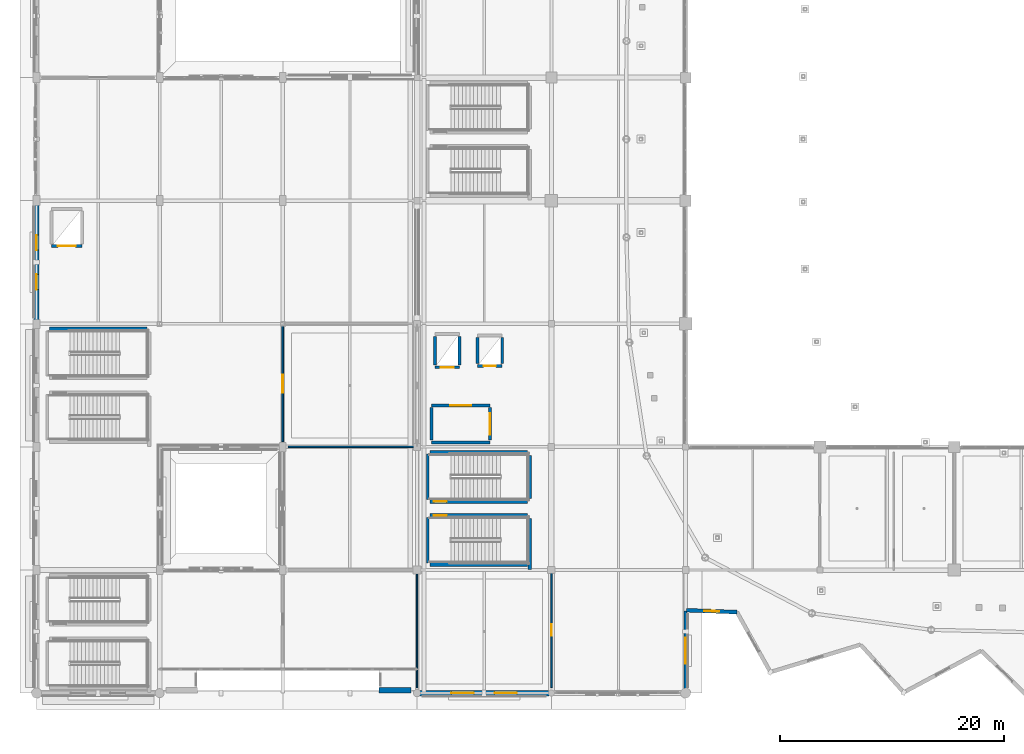
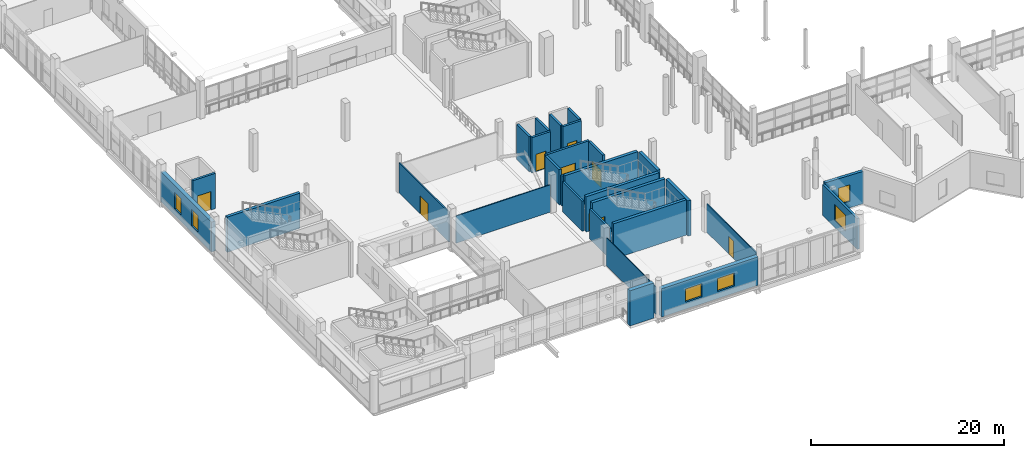
# One storey, part 91 of 143: 29 walls, 9 doors, 6 windows, 15 openings.
"""IFC4 building model written with IfcOpenShell, lengths in metres."""

from ifc_helpers import new_model, si_unit, direction, frame, frame_2d, origin, place, context, subcontext, project, spatial, rectangle, extrude, material, layer, layer_set, type_object, element, fill, save


model = new_model("IFC4")

# Units and contexts
model_context = context("Model", 3, precision=1e-05, world=origin(), true_north=direction((0.0, 1.0)))
body_context = subcontext(model_context, "Body", "Model", "MODEL_VIEW")
ifc_project = project(units=[si_unit("LENGTHUNIT", "METRE"), si_unit("AREAUNIT", "SQUARE_METRE"), si_unit("VOLUMEUNIT", "CUBIC_METRE"), si_unit("PLANEANGLEUNIT", "RADIAN"), si_unit("MASSUNIT", "GRAM", prefix="KILO")], contexts=[model_context])

# Site, building, storey
site_placement = place(None, origin())
site = spatial("IfcSite", under=ifc_project, at=site_placement, CompositionType="ELEMENT")
building_placement = place(site_placement, origin())
building = spatial("IfcBuilding", under=site, at=building_placement, Name="Luwafu Chhajja Arena", CompositionType="ELEMENT")
storey_placement = place(building_placement, frame((0.0, 0.0, 5.39990234375)))
storey = spatial("IfcBuildingStorey", under=building, at=storey_placement, Name="L01", CompositionType="ELEMENT", Elevation=5.39990234375)

# Wall, opening, window
ifc_material_1 = material(Name="Concrete C35/45", Category="concrete")
ifc_layer_1 = layer(ifc_material_1, 0.280029296875, Name="Concrete C35/45")
ifc_layer_set_1 = layer_set([ifc_layer_1], Name="Concrete C35/45")
wall_type_1 = type_object("IfcWallType", Name="Colonnade Arcade Spandrel Wall 280", PredefinedType="SOLIDWALL", material=ifc_layer_set_1)
wall_1_placement = place(storey_placement, frame((58.0, 0.219970703125, 0.0), z_axis=(0.0, 0.0, 1.0), x_axis=(0.0, 1.0, 0.0)))
wall_1 = element("IfcWall", 1, at=wall_1_placement, inside=storey, type_object=wall_type_1, Name="L01 Exterior Wall WEX-L01-124", PredefinedType="SOLIDWALL", context=body_context, shape_type="SweptSolid", body=[
    extrude(rectangle(XDim=7.12841796875, YDim=0.280029296875, at=frame_2d((3.564208984375, 0.0))), origin(), (0.0, 0.0, 1.0), 3.89013671875),
])
opening_1_placement = place(wall_1_placement, frame((2.414306640625, 0.0, 0.85009765625)))
opening_1 = element("IfcOpeningElement", 2, at=opening_1_placement, cuts=wall_1, Name="Opening WN-19", PredefinedType="OPENING", context=body_context, shape_type="SweptSolid", body=[
    extrude(rectangle(XDim=2.300048828125, YDim=2.050048828125, at=frame_2d((1.14990234375, 1.02490234375))), frame((0.0, 0.14990234375, 0.0), z_axis=(0.0, -1.0, 0.0), x_axis=(1.0, 0.0, 0.0)), (0.0, 0.0, 1.0), 0.300048828125),
])
ifc_material_2 = material(Name="Solar-control laminated glass", Category="glass")
window_type_1 = type_object("IfcWindowType", Name="Supporters Lounge Arch-Head Window 2300x2050", PartitioningType="SINGLE_PANEL", PredefinedType="WINDOW", material=ifc_material_2)
window_1_placement = place(opening_1_placement, origin())
window_1 = element("IfcWindow", 3, at=window_1_placement, inside=storey, type_object=window_type_1, Name="L01 Facade Window 039", OverallHeight=2.050048828125, OverallWidth=2.300048828125, PartitioningType="SINGLE_PANEL", PredefinedType="WINDOW", context=body_context, shape_type="SweptSolid", body=[
    extrude(rectangle(XDim=2.300048828125, YDim=2.050048828125, at=frame_2d((1.14990234375, 1.02490234375))), frame((0.0, 0.030029296875, 0.0), z_axis=(0.0, -1.0, 0.0), x_axis=(1.0, 0.0, 0.0)), (0.0, 0.0, 1.0), 0.06005859375),
])
fill(opening_1, window_1)

# Wall, opening, door
ifc_material_3 = material(Name="Lightweight blockwork partition", Category="masonry")
ifc_layer_2 = layer(ifc_material_3, 0.139892578125, Name="Lightweight blockwork partition")
ifc_layer_set_2 = layer_set([ifc_layer_2], Name="Lightweight blockwork partition")
wall_type_2 = type_object("IfcWallType", Name="Concourse Kiosk Partition 140", PredefinedType="PARTITIONING", material=ifc_layer_set_2)
wall_2_placement = place(storey_placement, frame((22.0, 22.47998046875, 0.0), z_axis=(0.0, 0.0, 1.0), x_axis=(0.0, 1.0, 0.0)))
wall_2 = element("IfcWall", 4, at=wall_2_placement, inside=storey, type_object=wall_type_2, Name="L01 Internal Partition 0218", PredefinedType="PARTITIONING", context=body_context, shape_type="SweptSolid", body=[
    extrude(rectangle(XDim=10.360107421875, YDim=0.139892578125, at=frame_2d((5.18017578125, 0.0))), origin(), (0.0, 0.0, 1.0), 3.77783203125),
])
opening_2_placement = place(wall_2_placement, frame((4.3701171875, 0.0, 0.0)))
opening_2 = element("IfcOpeningElement", 5, at=opening_2_placement, cuts=wall_2, Name="Opening DR-23", PredefinedType="OPENING", context=body_context, shape_type="SweptSolid", body=[
    extrude(rectangle(XDim=1.6201171875, YDim=2.25, at=frame_2d((0.81005859375, 1.125))), frame((0.0, 0.079833984375, 0.0), z_axis=(0.0, -1.0, 0.0), x_axis=(1.0, 0.0, 0.0)), (0.0, 0.0, 1.0), 0.159912109375),
])
ifc_material_4 = material(Name="Hardwood flush glazed double door", Category="wood")
door_type_1 = type_object("IfcDoorType", Name="DR-23", OperationType="DOUBLE_DOOR_SINGLE_SWING", PredefinedType="DOOR", material=ifc_material_4)
door_1_placement = place(opening_2_placement, origin())
door_1 = element("IfcDoor", 6, at=door_1_placement, inside=storey, type_object=door_type_1, Name="L01 Interior Door L01-D032", OperationType="DOUBLE_DOOR_SINGLE_SWING", OverallHeight=2.25, OverallWidth=1.6201171875, PredefinedType="DOOR", context=body_context, shape_type="SweptSolid", body=[
    extrude(rectangle(XDim=1.6201171875, YDim=2.25, at=frame_2d((0.81005859375, 1.125))), frame((0.0, 0.02490234375, 0.0), z_axis=(0.0, -1.0, 0.0), x_axis=(1.0, 0.0, 0.0)), (0.0, 0.0, 1.0), 0.050048828125),
])
fill(opening_2, door_1)

# Wall
ifc_material_5 = material(Name="Gypsum plasterboard partition")
ifc_layer_3 = layer(ifc_material_5, 0.10009765625, Name="Gypsum plasterboard partition")
ifc_layer_set_3 = layer_set([ifc_layer_3], Name="Gypsum plasterboard partition")
wall_type_3 = type_object("IfcWallType", Name="Drywall Lining Partition 100", PredefinedType="PARTITIONING", material=ifc_layer_set_3)
wall_3_placement = place(storey_placement, frame((34.0, 0.47998046875, 0.0), z_axis=(0.0, 0.0, 1.0), x_axis=(0.0, 1.0, 0.0)))
element("IfcWall", 7, at=wall_3_placement, inside=storey, type_object=wall_type_3, Name="L01 Internal Partition 0251", PredefinedType="PARTITIONING", context=body_context, shape_type="SweptSolid", body=[
    extrude(rectangle(XDim=10.300048828125, YDim=0.10009765625, at=frame_2d((5.14990234375, 0.0))), origin(), (0.0, 0.0, 1.0), 3.489990234375),
])

# Wall, opening, door
ifc_material_6 = material(Name="Concrete C40/50", Category="concrete")
ifc_layer_4 = layer(ifc_material_6, 0.260009765625, Name="Concrete C40/50")
ifc_layer_set_4 = layer_set([ifc_layer_4], Name="Concrete C40/50")
wall_type_4 = type_object("IfcWallType", Name="Firefighting Lobby Wall 260", PredefinedType="SOLIDWALL", material=ifc_layer_set_4)
wall_4_placement = place(storey_placement, frame((35.300048828125, 25.699951171875, 0.0), z_axis=(0.0, 0.0, 1.0), x_axis=(1.0, 0.0, 0.0)))
wall_4 = element("IfcWall", 8, at=wall_4_placement, inside=storey, type_object=wall_type_4, Name="L01 Core C1 Firefighting Lobby Wall N", PredefinedType="SOLIDWALL", context=body_context, shape_type="SweptSolid", body=[
    extrude(rectangle(XDim=5.199951171875, YDim=0.260009765625, at=frame_2d((2.60009765625, 0.0))), origin(), (0.0, 0.0, 1.0), 4.460205078125),
])
opening_3_placement = place(wall_4_placement, frame((1.64990234375, 0.0, 0.0)))
opening_3 = element("IfcOpeningElement", 9, at=opening_3_placement, cuts=wall_4, Name="Opening DR-07", PredefinedType="OPENING", context=body_context, shape_type="SweptSolid", body=[
    extrude(rectangle(XDim=1.89990234375, YDim=2.199951171875, at=frame_2d((0.949951171875, 1.10009765625))), frame((0.0, 0.139892578125, 0.0), z_axis=(0.0, -1.0, 0.0), x_axis=(1.0, 0.0, 0.0)), (0.0, 0.0, 1.0), 0.280029296875),
])
ifc_material_7 = material(Name="Fire-rated hardwood and vision panel", Category="wood")
door_type_2 = type_object("IfcDoorType", Name="DR-07", OperationType="DOUBLE_DOOR_SINGLE_SWING", PredefinedType="DOOR", material=ifc_material_7)
door_2_placement = place(opening_3_placement, origin())
door_2 = element("IfcDoor", 10, at=door_2_placement, inside=storey, type_object=door_type_2, Name="L01 Firefighting Lobby C1 Door L01-D003", OperationType="DOUBLE_DOOR_SINGLE_SWING", OverallHeight=2.199951171875, OverallWidth=1.89990234375, PredefinedType="DOOR", context=body_context, shape_type="SweptSolid", body=[
    extrude(rectangle(XDim=1.89990234375, YDim=2.199951171875, at=frame_2d((0.949951171875, 1.10009765625))), frame((0.0, 0.02490234375, 0.0), z_axis=(0.0, -1.0, 0.0), x_axis=(1.0, 0.0, 0.0)), (0.0, 0.0, 1.0), 0.050048828125),
])
fill(opening_3, door_2)

# Walls
wall_5_placement = place(storey_placement, frame((35.300048828125, 22.39990234375, 0.0), z_axis=(0.0, 0.0, 1.0), x_axis=(1.0, 0.0, 0.0)))
element("IfcWall", 11, at=wall_5_placement, inside=storey, type_object=wall_type_4, Name="L01 Core C1 Firefighting Lobby Wall S", PredefinedType="SOLIDWALL", context=body_context, shape_type="SweptSolid", body=[
    extrude(rectangle(XDim=5.199951171875, YDim=0.260009765625, at=frame_2d((2.60009765625, 0.0))), origin(), (0.0, 0.0, 1.0), 3.7900390625),
])
wall_6_placement = place(storey_placement, frame((35.300048828125, 22.60009765625, 0.0), z_axis=(0.0, 0.0, 1.0), x_axis=(0.0, 1.0, 0.0)))
element("IfcWall", 12, at=wall_6_placement, inside=storey, type_object=wall_type_4, Name="L01 Core C1 Firefighting Lobby Wall W", PredefinedType="SOLIDWALL", context=body_context, shape_type="SweptSolid", body=[
    extrude(rectangle(XDim=2.89990234375, YDim=0.260009765625, at=frame_2d((1.449951171875, 0.0))), origin(), (0.0, 0.0, 1.0), 4.460205078125),
])

# Wall, opening, door
wall_7_placement = place(storey_placement, frame((40.5, 22.60009765625, 0.0), z_axis=(0.0, 0.0, 1.0), x_axis=(0.0, 1.0, 0.0)))
wall_7 = element("IfcWall", 13, at=wall_7_placement, inside=storey, type_object=wall_type_4, Name="L01 Core C1 Firefighting Lobby Wall E", PredefinedType="SOLIDWALL", context=body_context, shape_type="SweptSolid", body=[
    extrude(rectangle(XDim=2.89990234375, YDim=0.260009765625, at=frame_2d((1.449951171875, 0.0))), origin(), (0.0, 0.0, 1.0), 4.460205078125),
])
opening_4_placement = place(wall_7_placement, frame((0.5, 0.0, 0.0)))
opening_4 = element("IfcOpeningElement", 14, at=opening_4_placement, cuts=wall_7, Name="Opening DR-07", PredefinedType="OPENING", context=body_context, shape_type="SweptSolid", body=[
    extrude(rectangle(XDim=1.89990234375, YDim=2.199951171875, at=frame_2d((0.949951171875, 1.10009765625))), frame((0.0, 0.139892578125, 0.0), z_axis=(0.0, -1.0, 0.0), x_axis=(1.0, 0.0, 0.0)), (0.0, 0.0, 1.0), 0.280029296875),
])
door_3_placement = place(opening_4_placement, origin())
door_3 = element("IfcDoor", 15, at=door_3_placement, inside=storey, type_object=door_type_2, Name="L01 Firefighting Lobby C1 Door L01-D004", OperationType="DOUBLE_DOOR_SINGLE_SWING", OverallHeight=2.199951171875, OverallWidth=1.89990234375, PredefinedType="DOOR", context=body_context, shape_type="SweptSolid", body=[
    extrude(rectangle(XDim=1.89990234375, YDim=2.199951171875, at=frame_2d((0.949951171875, 1.10009765625))), frame((0.0, 0.02490234375, 0.0), z_axis=(0.0, -1.0, 0.0), x_axis=(1.0, 0.0, 0.0)), (0.0, 0.0, 1.0), 0.050048828125),
])
fill(opening_4, door_3)

# Wall
ifc_material_8 = material(Name="Acoustic metal-stud gypsum board")
ifc_layer_5 = layer(ifc_material_8, 0.1201171875, Name="Acoustic metal-stud gypsum board")
ifc_layer_set_5 = layer_set([ifc_layer_5], Name="Acoustic metal-stud gypsum board")
wall_type_5 = type_object("IfcWallType", Name="Internal Room Partition 120", PredefinedType="PARTITIONING", material=ifc_layer_set_5)
wall_8_placement = place(storey_placement, frame((22.47998046875, 22.0, 0.0), z_axis=(0.0, 0.0, 1.0), x_axis=(1.0, 0.0, 0.0)))
element("IfcWall", 16, at=wall_8_placement, inside=storey, type_object=wall_type_5, Name="L01 Internal Partition 0220", PredefinedType="PARTITIONING", context=body_context, shape_type="SweptSolid", body=[
    extrude(rectangle(XDim=11.300048828125, YDim=0.1201171875, at=frame_2d((5.64990234375, 0.0))), origin(), (0.0, 0.0, 1.0), 3.440185546875),
])

# Wall, opening, door
wall_9_placement = place(storey_placement, frame((46.0, 0.47998046875, 0.0), z_axis=(0.0, 0.0, 1.0), x_axis=(0.0, 1.0, 0.0)))
wall_9 = element("IfcWall", 17, at=wall_9_placement, inside=storey, type_object=wall_type_5, Name="L01 Internal Partition 0222", PredefinedType="PARTITIONING", context=body_context, shape_type="SweptSolid", body=[
    extrude(rectangle(XDim=10.300048828125, YDim=0.1201171875, at=frame_2d((5.14990234375, 0.0))), origin(), (0.0, 0.0, 1.0), 3.590087890625),
])
opening_5_placement = place(wall_9_placement, frame((4.6298828125, 0.0, 0.0)))
opening_5 = element("IfcOpeningElement", 18, at=opening_5_placement, cuts=wall_9, Name="Opening DR-24", PredefinedType="OPENING", context=body_context, shape_type="SweptSolid", body=[
    extrude(rectangle(XDim=1.0400390625, YDim=2.199951171875, at=frame_2d((0.52001953125, 1.10009765625))), frame((0.0, 0.070068359375, 0.0), z_axis=(0.0, -1.0, 0.0), x_axis=(1.0, 0.0, 0.0)), (0.0, 0.0, 1.0), 0.14013671875),
])
ifc_material_9 = material(Name="Hardwood flush classroom door", Category="wood")
door_type_3 = type_object("IfcDoorType", Name="DR-24", OperationType="NOTDEFINED", PredefinedType="DOOR", material=ifc_material_9)
door_4_placement = place(opening_5_placement, origin())
door_4 = element("IfcDoor", 19, at=door_4_placement, inside=storey, type_object=door_type_3, Name="L01 Interior Door L01-D033", OperationType="SINGLE_SWING_RIGHT", OverallHeight=2.199951171875, OverallWidth=1.0400390625, PredefinedType="DOOR", context=body_context, shape_type="SweptSolid", body=[
    extrude(rectangle(XDim=1.0400390625, YDim=2.199951171875, at=frame_2d((0.52001953125, 1.10009765625))), frame((0.0, 0.02490234375, 0.0), z_axis=(0.0, -1.0, 0.0), x_axis=(1.0, 0.0, 0.0)), (0.0, 0.0, 1.0), 0.050048828125),
])
fill(opening_5, door_4)

ifc_layer_6 = layer(ifc_material_1, 0.260009765625, Name="Concrete C35/45")
ifc_layer_set_6 = layer_set([ifc_layer_6], Name="Concrete C35/45")
wall_type_6 = type_object("IfcWallType", Name="Lift and Riser Shaft Wall 260", PredefinedType="SOLIDWALL", material=ifc_layer_set_6)
wall_10_placement = place(storey_placement, frame((35.590087890625, 29.114990234375, 0.0), z_axis=(0.0, 0.0, 1.0), x_axis=(1.0, 0.0, 0.0)))
wall_10 = element("IfcWall", 20, at=wall_10_placement, inside=storey, type_object=wall_type_6, Name="L01 Lift LF-01 Shaft Wall S", PredefinedType="SOLIDWALL", context=body_context, shape_type="SweptSolid", body=[
    extrude(rectangle(XDim=2.219970703125, YDim=0.260009765625, at=frame_2d((1.10986328125, 0.0))), origin(), (0.0, 0.0, 1.0), 4.460205078125),
])
opening_6_placement = place(wall_10_placement, frame((0.510009765625, 0.0, 0.0)))
opening_6 = element("IfcOpeningElement", 21, at=opening_6_placement, cuts=wall_10, Name="Opening LD-02", PredefinedType="OPENING", context=body_context, shape_type="SweptSolid", body=[
    extrude(rectangle(XDim=1.199951171875, YDim=2.199951171875, at=frame_2d((0.60009765625, 1.10009765625))), frame((0.0, 0.139892578125, 0.0), z_axis=(0.0, -1.0, 0.0), x_axis=(1.0, 0.0, 0.0)), (0.0, 0.0, 1.0), 0.280029296875),
])
ifc_material_10 = material(Name="Brushed stainless steel sliding leaves", Category="steel")
door_type_4 = type_object("IfcDoorType", Name="LD-02", OperationType="SLIDING_TO_LEFT", PredefinedType="DOOR", material=ifc_material_10)
door_5_placement = place(opening_6_placement, origin())
door_5 = element("IfcDoor", 22, at=door_5_placement, inside=storey, type_object=door_type_4, Name="L01 Lift LF-01 Landing Door L01-LD01", OperationType="SLIDING_TO_LEFT", OverallHeight=2.199951171875, OverallWidth=1.199951171875, PredefinedType="DOOR", context=body_context, shape_type="SweptSolid", body=[
    extrude(rectangle(XDim=1.199951171875, YDim=2.199951171875, at=frame_2d((0.60009765625, 1.10009765625))), frame((0.0, 0.02490234375, 0.0), z_axis=(0.0, -1.0, 0.0), x_axis=(1.0, 0.0, 0.0)), (0.0, 0.0, 1.0), 0.050048828125),
])
fill(opening_6, door_5)

# Walls
for number, where, z_axis, x_axis, name in (
    (23, (35.590087890625, 29.31494140625, 0.0), (0.0, 0.0, 1.0), (0.0, 1.0, 0.0), "L01 Lift LF-01 Shaft Wall W"),
    (24, (37.81005859375, 29.31494140625, 0.0), (0.0, 0.0, 1.0), (0.0, 1.0, 0.0), "L01 Lift LF-01 Shaft Wall E"),
):
    element("IfcWall", number, at=place(storey_placement, frame(where, z_axis=z_axis, x_axis=x_axis)), inside=storey, type_object=wall_type_6, Name=name, PredefinedType="SOLIDWALL", context=body_context, shape_type="SweptSolid", body=[
        extrude(rectangle(XDim=2.570068359375, YDim=0.260009765625, at=frame_2d((1.28515625, 0.0))), origin(), (0.0, 0.0, 1.0), 4.460205078125),
    ])

# Wall, opening, door
wall_11_placement = place(storey_placement, frame((39.389892578125, 29.239990234375, 0.0), z_axis=(0.0, 0.0, 1.0), x_axis=(1.0, 0.0, 0.0)))
wall_11 = element("IfcWall", 25, at=wall_11_placement, inside=storey, type_object=wall_type_6, Name="L01 Lift LF-05 Shaft Wall S", PredefinedType="SOLIDWALL", context=body_context, shape_type="SweptSolid", body=[
    extrude(rectangle(XDim=2.22021484375, YDim=0.260009765625, at=frame_2d((1.110107421875, 0.0))), origin(), (0.0, 0.0, 1.0), 4.460205078125),
])
opening_7_placement = place(wall_11_placement, frame((0.56005859375, 0.0, 0.0)))
opening_7 = element("IfcOpeningElement", 26, at=opening_7_placement, cuts=wall_11, Name="Opening LD-01", PredefinedType="OPENING", context=body_context, shape_type="SweptSolid", body=[
    extrude(rectangle(XDim=1.10009765625, YDim=2.14990234375, at=frame_2d((0.550048828125, 1.074951171875))), frame((0.0, 0.139892578125, 0.0), z_axis=(0.0, -1.0, 0.0), x_axis=(1.0, 0.0, 0.0)), (0.0, 0.0, 1.0), 0.280029296875),
])
door_type_5 = type_object("IfcDoorType", Name="LD-01", OperationType="SLIDING_TO_LEFT", PredefinedType="DOOR", material=ifc_material_10)
door_6_placement = place(opening_7_placement, origin())
door_6 = element("IfcDoor", 27, at=door_6_placement, inside=storey, type_object=door_type_5, Name="L01 Lift LF-05 Landing Door L01-LD02", OperationType="SLIDING_TO_LEFT", OverallHeight=2.14990234375, OverallWidth=1.10009765625, PredefinedType="DOOR", context=body_context, shape_type="SweptSolid", body=[
    extrude(rectangle(XDim=1.10009765625, YDim=2.14990234375, at=frame_2d((0.550048828125, 1.074951171875))), frame((0.0, 0.02490234375, 0.0), z_axis=(0.0, -1.0, 0.0), x_axis=(1.0, 0.0, 0.0)), (0.0, 0.0, 1.0), 0.050048828125),
])
fill(opening_7, door_6)

# Walls
for number, where, z_axis, x_axis, name in (
    (28, (39.389892578125, 29.43994140625, 0.0), (0.0, 0.0, 1.0), (0.0, 1.0, 0.0), "L01 Lift LF-05 Shaft Wall W"),
    (29, (41.610107421875, 29.43994140625, 0.0), (0.0, 0.0, 1.0), (0.0, 1.0, 0.0), "L01 Lift LF-05 Shaft Wall E"),
):
    element("IfcWall", number, at=place(storey_placement, frame(where, z_axis=z_axis, x_axis=x_axis)), inside=storey, type_object=wall_type_6, Name=name, PredefinedType="SOLIDWALL", context=body_context, shape_type="SweptSolid", body=[
        extrude(rectangle(XDim=2.320068359375, YDim=0.260009765625, at=frame_2d((1.16015625, 0.0))), origin(), (0.0, 0.0, 1.0), 4.460205078125),
    ])

# Wall, opening, door
wall_12_placement = place(storey_placement, frame((1.340087890625, 39.93994140625, 0.0), z_axis=(0.0, 0.0, 1.0), x_axis=(1.0, 0.0, 0.0)))
wall_12 = element("IfcWall", 30, at=wall_12_placement, inside=storey, type_object=wall_type_6, Name="L01 Lift LF-11 Shaft Wall S", PredefinedType="SOLIDWALL", context=body_context, shape_type="SweptSolid", body=[
    extrude(rectangle(XDim=2.719970703125, YDim=0.260009765625, at=frame_2d((1.35986328125, 0.0))), origin(), (0.0, 0.0, 1.0), 4.460205078125),
])
opening_8_placement = place(wall_12_placement, frame((0.56005859375, 0.0, 0.0)))
opening_8 = element("IfcOpeningElement", 31, at=opening_8_placement, cuts=wall_12, Name="Opening LD-03", PredefinedType="OPENING", context=body_context, shape_type="SweptSolid", body=[
    extrude(rectangle(XDim=1.60009765625, YDim=2.35009765625, at=frame_2d((0.800048828125, 1.175048828125))), frame((0.0, 0.139892578125, 0.0), z_axis=(0.0, -1.0, 0.0), x_axis=(1.0, 0.0, 0.0)), (0.0, 0.0, 1.0), 0.280029296875),
])
door_type_6 = type_object("IfcDoorType", Name="LD-03", OperationType="DOUBLE_DOOR_SLIDING", PredefinedType="DOOR", material=ifc_material_10)
door_7_placement = place(opening_8_placement, origin())
door_7 = element("IfcDoor", 32, at=door_7_placement, inside=storey, type_object=door_type_6, Name="L01 Lift LF-11 Landing Door L01-LD11", OperationType="DOUBLE_DOOR_SLIDING", OverallHeight=2.35009765625, OverallWidth=1.60009765625, PredefinedType="DOOR", context=body_context, shape_type="SweptSolid", body=[
    extrude(rectangle(XDim=1.60009765625, YDim=2.35009765625, at=frame_2d((0.800048828125, 1.175048828125))), frame((0.0, 0.02490234375, 0.0), z_axis=(0.0, -1.0, 0.0), x_axis=(1.0, 0.0, 0.0)), (0.0, 0.0, 1.0), 0.050048828125),
])
fill(opening_8, door_7)

# Wall
ifc_layer_7 = layer(ifc_material_6, 0.47998046875, Name="Concrete C40/50")
ifc_layer_set_7 = layer_set([ifc_layer_7], Name="Concrete C40/50")
wall_type_7 = type_object("IfcWallType", Name="Pishtaq Portal Ashlar Wall 480", PredefinedType="SOLIDWALL", material=ifc_layer_set_7)
wall_13_placement = place(storey_placement, frame((30.60009765625, 0.25, 0.0), z_axis=(0.0, 0.0, 1.0), x_axis=(1.0, 0.0, 0.0)))
element("IfcWall", 33, at=wall_13_placement, inside=storey, type_object=wall_type_7, Name="L01 Pishtaq Portal East Cheek Pier", PredefinedType="SOLIDWALL", context=body_context, shape_type="SweptSolid", body=[
    extrude(rectangle(XDim=2.849853515625, YDim=0.47998046875, at=frame_2d((1.4248046875, 0.0))), origin(), (0.0, 0.0, 1.0), 4.440185546875),
])

# Wall, openings, windows
wall_14_placement = place(storey_placement, frame((34.219970703125, 0.0, 0.0), z_axis=(0.0, 0.0, 1.0), x_axis=(1.0, 0.0, 0.0)))
wall_14 = element("IfcWall", 34, at=wall_14_placement, inside=storey, type_object=wall_type_7, Name="L01 Exterior Wall WEX-L01-119", PredefinedType="SOLIDWALL", context=body_context, shape_type="SweptSolid", body=[
    extrude(rectangle(XDim=11.56005859375, YDim=0.47998046875, at=frame_2d((5.780029296875, 0.0))), origin(), (0.0, 0.0, 1.0), 3.590087890625),
])
opening_9_placement = place(wall_14_placement, frame((2.853271484375, 0.0, 0.89990234375)))
opening_9 = element("IfcOpeningElement", 35, at=opening_9_placement, cuts=wall_14, Name="Opening WN-10", PredefinedType="OPENING", context=body_context, shape_type="SweptSolid", body=[
    extrude(rectangle(XDim=2.0, YDim=1.64990234375, at=frame_2d((1.0, 0.824951171875))), frame((0.0, 0.25, 0.0), z_axis=(0.0, -1.0, 0.0), x_axis=(1.0, 0.0, 0.0)), (0.0, 0.0, 1.0), 0.5),
])
opening_10_placement = place(wall_14_placement, frame((6.706787109375, 0.0, 0.89990234375)))
opening_10 = element("IfcOpeningElement", 36, at=opening_10_placement, cuts=wall_14, Name="Opening WN-10", PredefinedType="OPENING", context=body_context, shape_type="SweptSolid", body=[
    extrude(rectangle(XDim=2.0, YDim=1.64990234375, at=frame_2d((1.0, 0.824951171875))), frame((0.0, 0.25, 0.0), z_axis=(0.0, -1.0, 0.0), x_axis=(1.0, 0.0, 0.0)), (0.0, 0.0, 1.0), 0.5),
])
window_type_2 = type_object("IfcWindowType", Name="Community Classroom Window 2000x1650", PartitioningType="SINGLE_PANEL", PredefinedType="WINDOW", material=ifc_material_2)
window_2_placement = place(opening_9_placement, origin())
window_2 = element("IfcWindow", 37, at=window_2_placement, inside=storey, type_object=window_type_2, Name="L01 Facade Window 031", OverallHeight=1.64990234375, OverallWidth=2.0, PartitioningType="SINGLE_PANEL", PredefinedType="WINDOW", context=body_context, shape_type="SweptSolid", body=[
    extrude(rectangle(XDim=2.0, YDim=1.64990234375, at=frame_2d((1.0, 0.824951171875))), frame((0.0, 0.030029296875, 0.0), z_axis=(0.0, -1.0, 0.0), x_axis=(1.0, 0.0, 0.0)), (0.0, 0.0, 1.0), 0.06005859375),
])
fill(opening_9, window_2)
window_3_placement = place(opening_10_placement, origin())
window_3 = element("IfcWindow", 38, at=window_3_placement, inside=storey, type_object=window_type_2, Name="L01 Facade Window 032", OverallHeight=1.64990234375, OverallWidth=2.0, PartitioningType="SINGLE_PANEL", PredefinedType="WINDOW", context=body_context, shape_type="SweptSolid", body=[
    extrude(rectangle(XDim=2.0, YDim=1.64990234375, at=frame_2d((1.0, 0.824951171875))), frame((0.0, 0.030029296875, 0.0), z_axis=(0.0, -1.0, 0.0), x_axis=(1.0, 0.0, 0.0)), (0.0, 0.0, 1.0), 0.06005859375),
])
fill(opening_10, window_3)

# Wall, opening, window
ifc_material_11 = material(Name="Precast concrete C40/50", Category="concrete")
ifc_layer_8 = layer(ifc_material_11, 0.340087890625, Name="Precast concrete C40/50")
ifc_layer_set_8 = layer_set([ifc_layer_8], Name="Precast concrete C40/50")
wall_type_8 = type_object("IfcWallType", Name="Pleated Bowl V-Fold Wall 340", PredefinedType="USERDEFINED", material=ifc_layer_set_8)
wall_15_placement = place(storey_placement, frame((58.080078125, 7.405517578125, 0.0), z_axis=(0.0, 0.0, 1.0), x_axis=(0.999296191983, -0.037511607381, 0.0)))
wall_15 = element("IfcWall", 39, at=wall_15_placement, inside=storey, type_object=wall_type_8, Name="L01 Pleated Bowl V-Fold Wall 41", ObjectType="PLEATED FACADE WALL", PredefinedType="USERDEFINED", context=body_context, shape_type="SweptSolid", body=[
    extrude(rectangle(XDim=4.497314453125, YDim=0.340087890625, at=frame_2d((2.24853515625, 0.0))), origin(), (0.0, 0.0, 1.0), 4.08349609375),
])
opening_11_placement = place(wall_15_placement, frame((1.573486328125, 0.0, 0.800048828125)))
opening_11 = element("IfcOpeningElement", 40, at=opening_11_placement, cuts=wall_15, Name="Opening WN-17", PredefinedType="OPENING", context=body_context, shape_type="SweptSolid", body=[
    extrude(rectangle(XDim=1.35009765625, YDim=2.10009765625, at=frame_2d((0.675048828125, 1.050048828125))), frame((0.0, 0.179931640625, 0.0), z_axis=(0.0, -1.0, 0.0), x_axis=(1.0, 0.0, 0.0)), (0.0, 0.0, 1.0), 0.360107421875),
])
window_type_3 = type_object("IfcWindowType", Name="Exhibition Mezzanine Lancet Window 1350x2100", PartitioningType="SINGLE_PANEL", PredefinedType="WINDOW", material=ifc_material_2)
window_4_placement = place(opening_11_placement, origin())
window_4 = element("IfcWindow", 41, at=window_4_placement, inside=storey, type_object=window_type_3, Name="L01 Pleated Bowl Lancet Window 003", OverallHeight=2.10009765625, OverallWidth=1.35009765625, PartitioningType="SINGLE_PANEL", PredefinedType="WINDOW", context=body_context, shape_type="SweptSolid", body=[
    extrude(rectangle(XDim=1.35009765625, YDim=2.10009765625, at=frame_2d((0.675048828125, 1.050048828125))), frame((0.0, 0.030029296875, 0.0), z_axis=(0.0, -1.0, 0.0), x_axis=(1.0, 0.0, 0.0)), (0.0, 0.0, 1.0), 0.06005859375),
])
fill(opening_11, window_4)

# Walls
ifc_layer_9 = layer(ifc_material_6, 0.35009765625, Name="Concrete C40/50")
ifc_layer_set_9 = layer_set([ifc_layer_9], Name="Concrete C40/50")
wall_type_9 = type_object("IfcWallType", Name="RC Core Shear Wall 350", PredefinedType="SOLIDWALL", material=ifc_layer_set_9)
wall_16_placement = place(storey_placement, frame((44.072021484375, 11.050048828125, 0.0), z_axis=(0.0, 0.0, 1.0), x_axis=(0.0, 1.0, 0.0)))
element("IfcWall", 42, at=wall_16_placement, inside=storey, type_object=wall_type_9, Name="L01 Stair ST-01 Core Shear Wall E", PredefinedType="SOLIDWALL", context=body_context, shape_type="SweptSolid", body=[
    extrude(rectangle(XDim=4.5400390625, YDim=0.35009765625, at=frame_2d((2.27001953125, 0.0))), origin(), (0.0, 0.0, 1.0), 4.460205078125),
])
wall_17_placement = place(storey_placement, frame((35.14990234375, 11.47802734375, 0.0), z_axis=(0.0, 0.0, 1.0), x_axis=(1.0, 0.0, 0.0)))
element("IfcWall", 43, at=wall_17_placement, inside=storey, type_object=wall_type_9, Name="L01 Stair ST-01 Core Shear Wall S", PredefinedType="SOLIDWALL", context=body_context, shape_type="SweptSolid", body=[
    extrude(rectangle(XDim=8.7001953125, YDim=0.35009765625, at=frame_2d((4.35009765625, 0.0))), origin(), (0.0, 0.0, 1.0), 4.460205078125),
])

# Wall, opening, door
wall_18_placement = place(storey_placement, frame((35.14990234375, 15.862060546875, 0.0), z_axis=(0.0, 0.0, 1.0), x_axis=(1.0, 0.0, 0.0)))
wall_18 = element("IfcWall", 44, at=wall_18_placement, inside=storey, type_object=wall_type_9, Name="L01 Stair ST-01 Core Shear Wall N", PredefinedType="SOLIDWALL", context=body_context, shape_type="SweptSolid", body=[
    extrude(rectangle(XDim=8.7001953125, YDim=0.35009765625, at=frame_2d((4.35009765625, 0.0))), origin(), (0.0, 0.0, 1.0), 4.460205078125),
])
opening_12_placement = place(wall_18_placement, frame((0.35009765625, 0.0, 0.0)))
opening_12 = element("IfcOpeningElement", 45, at=opening_12_placement, cuts=wall_18, Name="Opening DR-06", PredefinedType="OPENING", context=body_context, shape_type="SweptSolid", body=[
    extrude(rectangle(XDim=1.14990234375, YDim=2.199951171875, at=frame_2d((0.574951171875, 1.10009765625))), frame((0.0, 0.18505859375, 0.0), z_axis=(0.0, -1.0, 0.0), x_axis=(1.0, 0.0, 0.0)), (0.0, 0.0, 1.0), 0.3701171875),
])
ifc_material_12 = material(Name="Fire-rated hardwood and steel core", Category="steel")
door_type_7 = type_object("IfcDoorType", Name="DR-06", OperationType="NOTDEFINED", PredefinedType="DOOR", material=ifc_material_12)
door_8_placement = place(opening_12_placement, origin())
door_8 = element("IfcDoor", 46, at=door_8_placement, inside=storey, type_object=door_type_7, Name="L01 Escape Stair ST-01 Fire Door L01-D001", OperationType="SINGLE_SWING_RIGHT", OverallHeight=2.199951171875, OverallWidth=1.14990234375, PredefinedType="DOOR", context=body_context, shape_type="SweptSolid", body=[
    extrude(rectangle(XDim=1.14990234375, YDim=2.199951171875, at=frame_2d((0.574951171875, 1.10009765625))), frame((0.0, 0.02490234375, 0.0), z_axis=(0.0, -1.0, 0.0), x_axis=(1.0, 0.0, 0.0)), (0.0, 0.0, 1.0), 0.050048828125),
])
fill(opening_12, door_8)

# Wall
wall_19_placement = place(storey_placement, frame((44.072021484375, 17.409912109375, 0.0), z_axis=(0.0, 0.0, 1.0), x_axis=(0.0, 1.0, 0.0)))
element("IfcWall", 47, at=wall_19_placement, inside=storey, type_object=wall_type_9, Name="L01 Stair ST-02 Core Shear Wall E", PredefinedType="SOLIDWALL", context=body_context, shape_type="SweptSolid", body=[
    extrude(rectangle(XDim=3.840087890625, YDim=0.35009765625, at=frame_2d((1.919921875, 0.0))), origin(), (0.0, 0.0, 1.0), 4.460205078125),
])

# Wall, opening, door
wall_20_placement = place(storey_placement, frame((35.14990234375, 17.137939453125, 0.0), z_axis=(0.0, 0.0, 1.0), x_axis=(1.0, 0.0, 0.0)))
wall_20 = element("IfcWall", 48, at=wall_20_placement, inside=storey, type_object=wall_type_9, Name="L01 Stair ST-02 Core Shear Wall S", PredefinedType="SOLIDWALL", context=body_context, shape_type="SweptSolid", body=[
    extrude(rectangle(XDim=8.7001953125, YDim=0.35009765625, at=frame_2d((4.35009765625, 0.0))), origin(), (0.0, 0.0, 1.0), 4.460205078125),
])
opening_13_placement = place(wall_20_placement, frame((0.35009765625, 0.0, 0.0)))
opening_13 = element("IfcOpeningElement", 49, at=opening_13_placement, cuts=wall_20, Name="Opening DR-06", PredefinedType="OPENING", context=body_context, shape_type="SweptSolid", body=[
    extrude(rectangle(XDim=1.14990234375, YDim=2.199951171875, at=frame_2d((0.574951171875, 1.10009765625))), frame((0.0, 0.18505859375, 0.0), z_axis=(0.0, -1.0, 0.0), x_axis=(1.0, 0.0, 0.0)), (0.0, 0.0, 1.0), 0.3701171875),
])
door_9_placement = place(opening_13_placement, origin())
door_9 = element("IfcDoor", 50, at=door_9_placement, inside=storey, type_object=door_type_7, Name="L01 Escape Stair ST-02 Fire Door L01-D002", OperationType="SINGLE_SWING_LEFT", OverallHeight=2.199951171875, OverallWidth=1.14990234375, PredefinedType="DOOR", context=body_context, shape_type="SweptSolid", body=[
    extrude(rectangle(XDim=1.14990234375, YDim=2.199951171875, at=frame_2d((0.574951171875, 1.10009765625))), frame((0.0, 0.02490234375, 0.0), z_axis=(0.0, -1.0, 0.0), x_axis=(1.0, 0.0, 0.0)), (0.0, 0.0, 1.0), 0.050048828125),
])
fill(opening_13, door_9)

# Walls
for number, where, z_axis, x_axis, name in (
    (51, (35.14990234375, 21.52197265625, 0.0), (0.0, 0.0, 1.0), (1.0, 0.0, 0.0), "L01 Stair ST-02 Core Shear Wall N"),
    (52, (1.14990234375, 32.52197265625, 0.0), (0.0, 0.0, 1.0), (1.0, 0.0, 0.0), "L01 Stair ST-14 Core Shear Wall N"),
):
    element("IfcWall", number, at=place(storey_placement, frame(where, z_axis=z_axis, x_axis=x_axis)), inside=storey, type_object=wall_type_9, Name=name, PredefinedType="SOLIDWALL", context=body_context, shape_type="SweptSolid", body=[
        extrude(rectangle(XDim=8.7001953125, YDim=0.35009765625, at=frame_2d((4.35009765625, 0.0))), origin(), (0.0, 0.0, 1.0), 4.460205078125),
    ])

# Wall, openings, windows
ifc_layer_10 = layer(ifc_material_6, 0.449951171875, Name="Concrete C40/50")
ifc_layer_set_10 = layer_set([ifc_layer_10], Name="Concrete C40/50")
wall_type_10 = type_object("IfcWallType", Name="RC Core Shear Wall 450", PredefinedType="SOLIDWALL", material=ifc_layer_set_10)
wall_21_placement = place(storey_placement, frame((0.0, 33.219970703125, 0.0), z_axis=(0.0, 0.0, 1.0), x_axis=(0.0, 1.0, 0.0)))
wall_21 = element("IfcWall", 53, at=wall_21_placement, inside=storey, type_object=wall_type_10, Name="L01 Exterior Wall WEX-L01-109", PredefinedType="SOLIDWALL", context=body_context, shape_type="SweptSolid", body=[
    extrude(rectangle(XDim=10.56005859375, YDim=0.449951171875, at=frame_2d((5.280029296875, 0.0))), origin(), (0.0, 0.0, 1.0), 3.77783203125),
])
opening_14_placement = place(wall_21_placement, frame((2.844970703125, 0.0, 0.800048828125)))
opening_14 = element("IfcOpeningElement", 54, at=opening_14_placement, cuts=wall_21, Name="Opening WN-17", PredefinedType="OPENING", context=body_context, shape_type="SweptSolid", body=[
    extrude(rectangle(XDim=1.35009765625, YDim=2.10009765625, at=frame_2d((0.675048828125, 1.050048828125))), frame((0.0, 0.23486328125, 0.0), z_axis=(0.0, -1.0, 0.0), x_axis=(1.0, 0.0, 0.0)), (0.0, 0.0, 1.0), 0.469970703125),
])
opening_15_placement = place(wall_21_placement, frame((6.364990234375, 0.0, 0.800048828125)))
opening_15 = element("IfcOpeningElement", 55, at=opening_15_placement, cuts=wall_21, Name="Opening WN-17", PredefinedType="OPENING", context=body_context, shape_type="SweptSolid", body=[
    extrude(rectangle(XDim=1.35009765625, YDim=2.10009765625, at=frame_2d((0.675048828125, 1.050048828125))), frame((0.0, 0.23486328125, 0.0), z_axis=(0.0, -1.0, 0.0), x_axis=(1.0, 0.0, 0.0)), (0.0, 0.0, 1.0), 0.469970703125),
])
window_5_placement = place(opening_14_placement, origin())
window_5 = element("IfcWindow", 56, at=window_5_placement, inside=storey, type_object=window_type_3, Name="L01 Facade Window 011", OverallHeight=2.10009765625, OverallWidth=1.35009765625, PartitioningType="SINGLE_PANEL", PredefinedType="WINDOW", context=body_context, shape_type="SweptSolid", body=[
    extrude(rectangle(XDim=1.35009765625, YDim=2.10009765625, at=frame_2d((0.675048828125, 1.050048828125))), frame((0.0, 0.030029296875, 0.0), z_axis=(0.0, -1.0, 0.0), x_axis=(1.0, 0.0, 0.0)), (0.0, 0.0, 1.0), 0.06005859375),
])
fill(opening_14, window_5)
window_6_placement = place(opening_15_placement, origin())
window_6 = element("IfcWindow", 57, at=window_6_placement, inside=storey, type_object=window_type_3, Name="L01 Facade Window 012", OverallHeight=2.10009765625, OverallWidth=1.35009765625, PartitioningType="SINGLE_PANEL", PredefinedType="WINDOW", context=body_context, shape_type="SweptSolid", body=[
    extrude(rectangle(XDim=1.35009765625, YDim=2.10009765625, at=frame_2d((0.675048828125, 1.050048828125))), frame((0.0, 0.030029296875, 0.0), z_axis=(0.0, -1.0, 0.0), x_axis=(1.0, 0.0, 0.0)), (0.0, 0.0, 1.0), 0.06005859375),
])
fill(opening_15, window_6)

# Walls
ifc_layer_11 = layer(ifc_material_1, 0.22998046875, Name="Concrete C35/45")
ifc_layer_set_11 = layer_set([ifc_layer_11], Name="Concrete C35/45")
wall_type_11 = type_object("IfcWallType", Name="Stair Enclosure Wall 230", PredefinedType="SOLIDWALL", material=ifc_layer_set_11)
for number, where, z_axis, x_axis, name in (
    (58, (34.9599609375, 11.6298828125, 0.0), (0.0, 0.0, 1.0), (0.0, 1.0, 0.0), "L01 Stair ST-01 Enclosure Wall W"),
    (59, (34.9599609375, 17.2900390625, 0.0), (0.0, 0.0, 1.0), (0.0, 1.0, 0.0), "L01 Stair ST-02 Enclosure Wall W"),
):
    element("IfcWall", number, at=place(storey_placement, frame(where, z_axis=z_axis, x_axis=x_axis)), inside=storey, type_object=wall_type_11, Name=name, PredefinedType="SOLIDWALL", context=body_context, shape_type="SweptSolid", body=[
        extrude(rectangle(XDim=4.080078125, YDim=0.22998046875, at=frame_2d((2.0400390625, 0.0))), origin(), (0.0, 0.0, 1.0), 3.7900390625),
    ])

save(model, "model.ifc")
